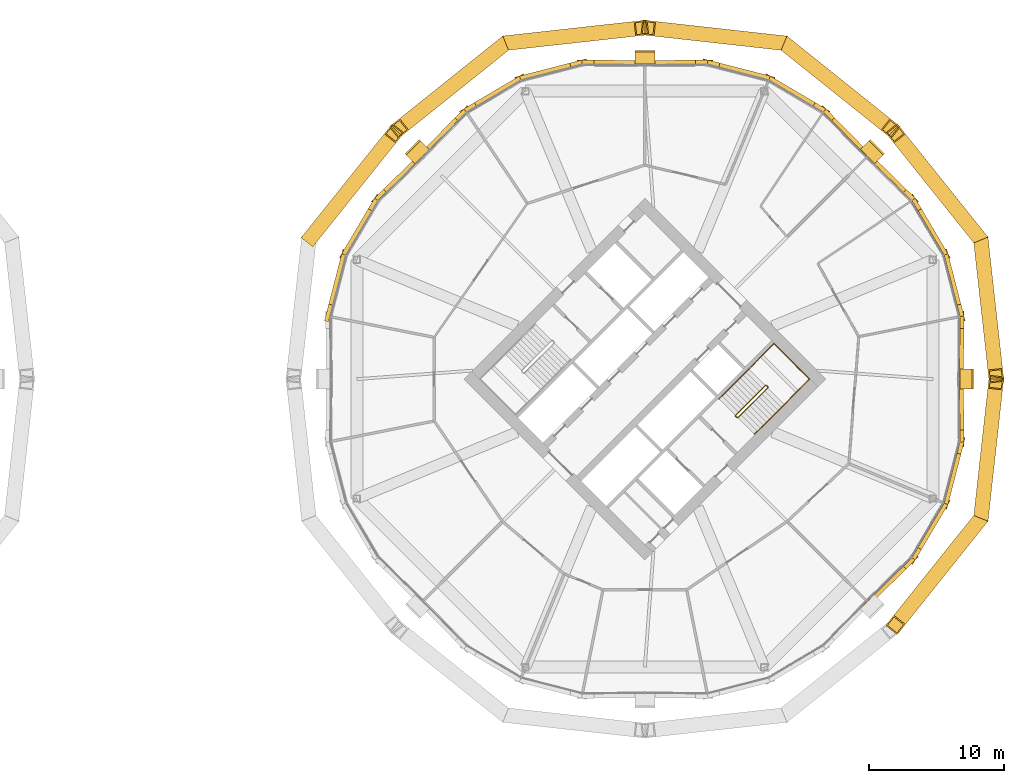
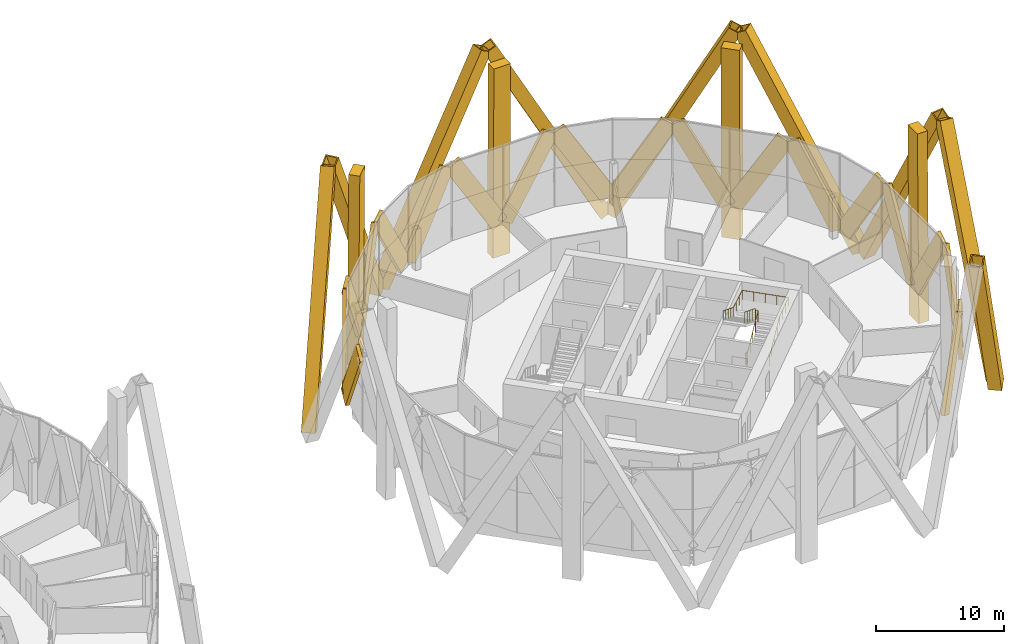
# One storey, part 29 of 30: 32 coverings, 2 railings.
"""IFC4 building model written with IfcOpenShell, lengths in metres."""

from ifc_helpers import new_model, si_unit, direction, frame, origin, origin_2d, place, context, subcontext, project, spatial, rectangle, hollow_rectangle, circle, extrude, material, material_profile, profile_set, type_object, element, save


model = new_model("IFC4")

# Units and contexts
model_context = context("Model", 3, precision=1e-05, world=origin(), true_north=direction((0.0, 1.0)))
body_context = subcontext(model_context, "Body", "Model", "MODEL_VIEW")
ifc_project = project(units=[si_unit("LENGTHUNIT", "METRE"), si_unit("AREAUNIT", "SQUARE_METRE"), si_unit("VOLUMEUNIT", "CUBIC_METRE"), si_unit("PLANEANGLEUNIT", "RADIAN"), si_unit("MASSUNIT", "GRAM", prefix="KILO")], contexts=[model_context])

# Site, building, storey
site_placement = place(None, origin())
site = spatial("IfcSite", under=ifc_project, at=site_placement, CompositionType="ELEMENT")
building_placement = place(site_placement, origin())
building = spatial("IfcBuilding", under=site, at=building_placement, Name="Ogive Gate Towers", CompositionType="ELEMENT")
storey_placement = place(building_placement, frame((0.0, 0.0, 99.60009765625)))
storey = spatial("IfcBuildingStorey", under=building, at=storey_placement, Name="L23", CompositionType="ELEMENT", Elevation=99.60009765625)

# Coverings
ifc_material_1 = material(Name="Pale metal aluminium", Category="aluminium")
ifc_material_profile_1 = material_profile(ifc_material_1, rectangle(XDim=1.5, YDim=0.89990234375, at=origin_2d()), Name="1500 x 900 pale metal aluminium")
ifc_profile_set_1 = profile_set([ifc_material_profile_1], Name="Pale metal aluminium")
covering_type_1 = type_object("IfcCoveringType", Name="Crease colonnette 1500 x 900", PredefinedType="CLADDING", material=ifc_profile_set_1)
for number, where, z_axis, x_axis, name in (
    (1, (59.97998046875, 0.0, -3.2001953125), (-0.007175622536, 0.0, 0.999974254889), (0.0, -1.0, 0.0), "Crease colonnette"),
    (2, (52.956298828125, 16.956298828125, -3.2001953125), (-0.005071492745, -0.005071492745, 0.999974279631), (0.707106781187, -0.707106781187, 0.0), "Crease colonnette"),
    (3, (36.0, 23.97998046875, -3.2001953125), (0.0, -0.007175622536, 0.999974254889), (1.0, 0.0, 0.0), "Crease colonnette"),
    (4, (19.043701171875, 16.956298828125, -3.2001953125), (0.005071492745, -0.005071492745, 0.999974279631), (0.707106781187, 0.707106781187, 0.0), "Crease colonnette"),
):
    element("IfcCovering", number, at=place(storey_placement, frame(where, z_axis=z_axis, x_axis=x_axis)), inside=storey, type_object=covering_type_1, Name=name, PredefinedType="CLADDING", context=body_context, shape_type="SweptSolid", body=[
        extrude(rectangle(XDim=1.5, YDim=0.89990234375, at=origin_2d()), origin(), (0.0, 0.0, 1.0), 18.1005859375),
    ])
ifc_material_2 = material(Name="Pale metal aluminium cladding", Category="aluminium")
ifc_material_profile_2 = material_profile(ifc_material_2, hollow_rectangle(XDim=1.10009765625, YDim=1.10009765625, WallThickness=0.10009765625, at=origin_2d()), Name="1100 x 1100 pale metal casing")
ifc_profile_set_2 = profile_set([ifc_material_profile_2], Name="Pale metal aluminium cladding")
covering_type_2 = type_object("IfcCoveringType", Name="Diagrid casing 1100 x 1100", PredefinedType="CLADDING", material=ifc_profile_set_2)
for number, where, z_axis, x_axis, name in (
    (5, (60.99169921875, 10.082763671875, -3.414794921875), (0.051893681789, -0.467845256186, 0.882285589849), (0.993904498149, 0.110244494465, 0.0), "Diagrid casing"),
    (6, (60.801513671875, 10.542236328125, -3.414794921875), (-0.294122355712, 0.367510539247, 0.882285692626), (-0.780750734849, -0.62484261221, 0.0), "Diagrid casing"),
    (7, (46.542236328125, 24.801513671875, -3.414794921875), (0.367510539247, -0.294122355712, 0.882285692626), (0.62484261221, 0.780750734849, 0.0), "Diagrid casing"),
    (8, (46.082763671875, 24.99169921875, -3.414794921875), (-0.467845256186, 0.051893681789, 0.882285589849), (-0.110244494465, -0.993904498149, 0.0), "Diagrid casing"),
    (9, (25.917236328125, 24.99169921875, -3.414794921875), (0.467845256186, 0.051893681789, 0.882285589849), (-0.110244494465, 0.993904498149, 0.0), "Diagrid casing"),
    (10, (25.457763671875, 24.801513671875, -3.414794921875), (-0.367510539247, -0.294122355712, 0.882285692626), (0.62484261221, -0.780750734849, 0.0), "Diagrid casing"),
    (11, (11.198486328125, 10.542236328125, -3.414794921875), (0.294122355712, 0.367510539247, 0.882285692626), (-0.780750734849, 0.62484261221, 0.0), "Diagrid casing"),
    (12, (60.801513671875, -10.542236328125, -3.414794921875), (-0.294122355712, -0.367510539247, 0.882285692626), (0.780750734849, -0.62484261221, 0.0), "Diagrid casing"),
    (13, (60.99169921875, -10.082763671875, -3.414794921875), (0.051893681789, 0.467845256186, 0.882285589849), (-0.993904498149, 0.110244494465, 0.0), "Diagrid casing"),
):
    element("IfcCovering", number, at=place(storey_placement, frame(where, z_axis=z_axis, x_axis=x_axis)), inside=storey, type_object=covering_type_2, Name=name, PredefinedType="CLADDING", context=body_context, shape_type="SweptSolid", body=[
        extrude(hollow_rectangle(XDim=1.10009765625, YDim=1.10009765625, WallThickness=0.10009765625, at=origin_2d()), origin(), (0.0, 0.0, 1.0), 21.00146484375),
    ])
ifc_material_profile_3 = material_profile(ifc_material_1, rectangle(XDim=0.300048828125, YDim=1.5, at=origin_2d()), Name="1500 x 300 pale metal aluminium")
ifc_profile_set_3 = profile_set([ifc_material_profile_3], Name="Pale metal aluminium")
covering_type_3 = type_object("IfcCoveringType", Name="Facade fin 1500 x 300", PredefinedType="CLADDING", material=ifc_profile_set_3)
covering_1_placement = place(storey_placement, frame((59.522216796875, 0.225830078125, 0.033203125), z_axis=(0.004892967513, 0.511076423809, 0.859521348133), x_axis=(-0.999954173877, 0.00957340832, 0.0)))
element("IfcCovering", 14, at=covering_1_placement, inside=storey, type_object=covering_type_3, Name="Facade fin", PredefinedType="CLADDING", context=body_context, shape_type="SweptSolid", body=[
    extrude(rectangle(XDim=0.300048828125, YDim=1.5, at=origin_2d()), origin(), (0.0, 0.0, 1.0), 8.182861328125),
])
for number, where, z_axis, x_axis, name in (
    (15, (58.44482421875, 9.01513671875, 0.036865234375), (0.128609963562, -0.499736470308, 0.856576288206), (0.968443227462, 0.249234257645, 0.0), "Facade fin"),
    (16, (58.24560546875, 9.49609375, 0.036865234375), (-0.262427507757, 0.444314147192, 0.856572671627), (-0.861029855402, -0.508554410174, 0.0), "Facade fin"),
):
    element("IfcCovering", number, at=place(storey_placement, frame(where, z_axis=z_axis, x_axis=x_axis)), inside=storey, type_object=covering_type_3, Name=name, PredefinedType="CLADDING", context=body_context, shape_type="SweptSolid", body=[
        extrude(rectangle(XDim=0.300048828125, YDim=1.5, at=origin_2d()), origin(), (0.0, 0.0, 1.0), 8.20263671875),
    ])
for number, where, z_axis, x_axis, name in (
    (17, (52.79248046875, 16.472900390625, 0.033203125), (0.364856107894, -0.357904478722, 0.859525685854), (0.700273322803, 0.713874830324, 0.0), "Facade fin"),
    (18, (52.472900390625, 16.79248046875, 0.033203125), (-0.357904478722, 0.364856107894, 0.859525685854), (-0.713874830324, -0.700273322803, 0.0), "Facade fin"),
):
    element("IfcCovering", number, at=place(storey_placement, frame(where, z_axis=z_axis, x_axis=x_axis)), inside=storey, type_object=covering_type_3, Name=name, PredefinedType="CLADDING", context=body_context, shape_type="SweptSolid", body=[
        extrude(rectangle(XDim=0.300048828125, YDim=1.5, at=origin_2d()), origin(), (0.0, 0.0, 1.0), 8.182861328125),
    ])
for number, where, z_axis, x_axis, name in (
    (19, (45.49609375, 22.24560546875, 0.036865234375), (0.444314147192, -0.262427507757, 0.856572671627), (0.508554410174, 0.861029855402, 0.0), "Facade fin"),
    (20, (45.01513671875, 22.44482421875, 0.036865234375), (-0.499736470308, 0.128609963562, 0.856576288206), (-0.249234257645, -0.968443227462, 0.0), "Facade fin"),
):
    element("IfcCovering", number, at=place(storey_placement, frame(where, z_axis=z_axis, x_axis=x_axis)), inside=storey, type_object=covering_type_3, Name=name, PredefinedType="CLADDING", context=body_context, shape_type="SweptSolid", body=[
        extrude(rectangle(XDim=0.300048828125, YDim=1.5, at=origin_2d()), origin(), (0.0, 0.0, 1.0), 8.20263671875),
    ])
for number, where, z_axis, x_axis, name in (
    (21, (36.225830078125, 23.522216796875, 0.033203125), (0.511076423809, 0.004892967513, 0.859521348133), (-0.00957340832, 0.999954173877, 0.0), "Facade fin"),
    (22, (35.774169921875, 23.522216796875, 0.033203125), (-0.511076423809, 0.004892967513, 0.859521348133), (-0.00957340832, -0.999954173877, 0.0), "Facade fin"),
):
    element("IfcCovering", number, at=place(storey_placement, frame(where, z_axis=z_axis, x_axis=x_axis)), inside=storey, type_object=covering_type_3, Name=name, PredefinedType="CLADDING", context=body_context, shape_type="SweptSolid", body=[
        extrude(rectangle(XDim=0.300048828125, YDim=1.5, at=origin_2d()), origin(), (0.0, 0.0, 1.0), 8.182861328125),
    ])
for number, where, z_axis, x_axis, name in (
    (23, (26.98486328125, 22.44482421875, 0.036865234375), (0.499736470308, 0.128609963562, 0.856576288206), (-0.249234257645, 0.968443227462, 0.0), "Facade fin"),
    (24, (26.50390625, 22.24560546875, 0.036865234375), (-0.444314147192, -0.262427507757, 0.856572671627), (0.508554410174, -0.861029855402, 0.0), "Facade fin"),
):
    element("IfcCovering", number, at=place(storey_placement, frame(where, z_axis=z_axis, x_axis=x_axis)), inside=storey, type_object=covering_type_3, Name=name, PredefinedType="CLADDING", context=body_context, shape_type="SweptSolid", body=[
        extrude(rectangle(XDim=0.300048828125, YDim=1.5, at=origin_2d()), origin(), (0.0, 0.0, 1.0), 8.20263671875),
    ])
for number, where, z_axis, x_axis, name in (
    (25, (19.527099609375, 16.79248046875, 0.033203125), (0.357904478722, 0.364856107894, 0.859525685854), (-0.713874830324, 0.700273322803, 0.0), "Facade fin"),
    (26, (19.20751953125, 16.472900390625, 0.033203125), (-0.364856107894, -0.357904478722, 0.859525685854), (0.700273322803, -0.713874830324, 0.0), "Facade fin"),
):
    element("IfcCovering", number, at=place(storey_placement, frame(where, z_axis=z_axis, x_axis=x_axis)), inside=storey, type_object=covering_type_3, Name=name, PredefinedType="CLADDING", context=body_context, shape_type="SweptSolid", body=[
        extrude(rectangle(XDim=0.300048828125, YDim=1.5, at=origin_2d()), origin(), (0.0, 0.0, 1.0), 8.182861328125),
    ])
for number, where, z_axis, x_axis, name in (
    (27, (13.75439453125, 9.49609375, 0.036865234375), (0.262427507757, 0.444314147192, 0.856572671627), (-0.861029855402, 0.508554410174, 0.0), "Facade fin"),
    (28, (13.55517578125, 9.01513671875, 0.036865234375), (-0.128609963562, -0.499736470308, 0.856576288206), (0.968443227462, -0.249234257645, 0.0), "Facade fin"),
):
    element("IfcCovering", number, at=place(storey_placement, frame(where, z_axis=z_axis, x_axis=x_axis)), inside=storey, type_object=covering_type_3, Name=name, PredefinedType="CLADDING", context=body_context, shape_type="SweptSolid", body=[
        extrude(rectangle(XDim=0.300048828125, YDim=1.5, at=origin_2d()), origin(), (0.0, 0.0, 1.0), 8.20263671875),
    ])
covering_2_placement = place(storey_placement, frame((52.79248046875, -16.472900390625, 0.033203125), z_axis=(0.364856107894, 0.357904478722, 0.859525685854), x_axis=(-0.700273322803, 0.713874830324, 0.0)))
element("IfcCovering", 29, at=covering_2_placement, inside=storey, type_object=covering_type_3, Name="Facade fin", PredefinedType="CLADDING", context=body_context, shape_type="SweptSolid", body=[
    extrude(rectangle(XDim=0.300048828125, YDim=1.5, at=origin_2d()), origin(), (0.0, 0.0, 1.0), 8.182861328125),
])
for number, where, z_axis, x_axis, name in (
    (30, (58.24560546875, -9.49609375, 0.036865234375), (-0.262427507757, -0.444314147192, 0.856572671627), (0.861029855402, -0.508554410174, 0.0), "Facade fin"),
    (31, (58.44482421875, -9.01513671875, 0.036865234375), (0.128609963562, 0.499736470308, 0.856576288206), (-0.968443227462, 0.249234257645, 0.0), "Facade fin"),
):
    element("IfcCovering", number, at=place(storey_placement, frame(where, z_axis=z_axis, x_axis=x_axis)), inside=storey, type_object=covering_type_3, Name=name, PredefinedType="CLADDING", context=body_context, shape_type="SweptSolid", body=[
        extrude(rectangle(XDim=0.300048828125, YDim=1.5, at=origin_2d()), origin(), (0.0, 0.0, 1.0), 8.20263671875),
    ])
covering_3_placement = place(storey_placement, frame((59.522216796875, -0.225830078125, 0.033203125), z_axis=(0.004892967513, -0.511076423809, 0.859521348133), x_axis=(0.999954173877, 0.00957340832, 0.0)))
element("IfcCovering", 32, at=covering_3_placement, inside=storey, type_object=covering_type_3, Name="Facade fin", PredefinedType="CLADDING", context=body_context, shape_type="SweptSolid", body=[
    extrude(rectangle(XDim=0.300048828125, YDim=1.5, at=origin_2d()), origin(), (0.0, 0.0, 1.0), 8.182861328125),
])

# Railings
ifc_material_3 = material(Name="Stainless steel", Category="steel")
railing_type_1 = type_object("IfcRailingType", Name="Stair guard 1100", PredefinedType="GUARDRAIL", material=ifc_material_3)
railing_1_placement = place(storey_placement, frame((42.84130859375, -2.8603515625, 0.0)))
element("IfcRailing", 33, at=railing_1_placement, inside=storey, type_object=railing_type_1, Name="L23 ST2 stair guard 1", PredefinedType="GUARDRAIL", context=body_context, shape_type="SweptSolid", body=[
    extrude(circle(Radius=0.02392578125, at=origin_2d()), frame((0.0, 0.0, 1.076171875), z_axis=(-0.707106781187, 0.707106781187, 0.0), x_axis=(-0.707106781187, -0.707106781187, 0.0)), (0.0, 0.0, 1.0), 0.14501953125),
    extrude(circle(Radius=0.02392578125, at=origin_2d()), frame((-0.1025390625, 0.1025390625, 1.076171875), z_axis=(0.645571447971, -0.382425963537, 0.661050594114), x_axis=(0.509669330572, 0.860370369942, 0.0)), (0.0, 0.0, 1.0), 0.26806640625),
    extrude(circle(Radius=0.02392578125, at=origin_2d()), frame((0.070556640625, 0.0, 1.25341796875), z_axis=(0.61558473135, 0.61558473135, 0.49204763698), x_axis=(-0.707106781187, 0.707106781187, 0.0)), (0.0, 0.0, 1.0), 3.602783203125),
    extrude(circle(Radius=0.02392578125, at=origin_2d()), frame((2.288330078125, 2.2177734375, 3.02587890625), z_axis=(0.0, 1.0, 0.0), x_axis=(-1.0, 0.0, 0.0)), (0.0, 0.0, 1.0), 0.07080078125),
    extrude(circle(Radius=0.02392578125, at=origin_2d()), frame((2.288330078125, 2.28857421875, 3.02587890625), z_axis=(-0.707106781187, 0.707106781187, 0.0), x_axis=(-0.707106781187, -0.707106781187, 0.0)), (0.0, 0.0, 1.0), 0.14501953125),
    extrude(circle(Radius=0.02392578125, at=origin_2d()), frame((2.185791015625, 2.39111328125, 3.02587890625), z_axis=(-0.369845645421, 0.0, 0.929093213065), x_axis=(0.0, -1.0, 0.0)), (0.0, 0.0, 1.0), 0.190673828125),
    extrude(circle(Radius=0.02392578125, at=origin_2d()), frame((2.115234375, 2.39111328125, 3.203125), z_axis=(-0.61558473135, -0.61558473135, 0.49204763698), x_axis=(0.707106781187, -0.707106781187, 0.0)), (0.0, 0.0, 1.0), 3.602783203125),
    extrude(circle(Radius=0.02099609375, at=origin_2d()), origin(), (0.0, 0.0, 1.0), 1.052001953125),
    extrude(circle(Radius=0.02099609375, at=origin_2d()), frame((-0.1025390625, 0.1025390625, 0.0)), (0.0, 0.0, 1.0), 1.052001953125),
    extrude(circle(Radius=0.02099609375, at=origin_2d()), frame((0.070556640625, 0.0, 0.17724609375)), (0.0, 0.0, 1.0), 1.052001953125),
    extrude(circle(Radius=0.02099609375, at=origin_2d()), frame((0.625, 0.554443359375, 0.620361328125)), (0.0, 0.0, 1.0), 1.052001953125),
    extrude(circle(Radius=0.02099609375, at=origin_2d()), frame((1.179443359375, 1.10888671875, 1.0634765625)), (0.0, 0.0, 1.0), 1.052001953125),
    extrude(circle(Radius=0.02099609375, at=origin_2d()), frame((1.73388671875, 1.663330078125, 1.5068359375)), (0.0, 0.0, 1.0), 1.052001953125),
    extrude(circle(Radius=0.02099609375, at=origin_2d()), frame((2.288330078125, 2.2177734375, 1.949951171875)), (0.0, 0.0, 1.0), 1.052001953125),
    extrude(circle(Radius=0.02099609375, at=origin_2d()), frame((2.288330078125, 2.28857421875, 1.949951171875)), (0.0, 0.0, 1.0), 1.052001953125),
    extrude(circle(Radius=0.02099609375, at=origin_2d()), frame((2.185791015625, 2.39111328125, 1.949951171875)), (0.0, 0.0, 1.0), 1.052001953125),
    extrude(circle(Radius=0.02099609375, at=origin_2d()), frame((2.115234375, 2.39111328125, 2.127197265625)), (0.0, 0.0, 1.0), 1.052001953125),
    extrude(circle(Radius=0.02099609375, at=origin_2d()), frame((1.560791015625, 1.836669921875, 2.5703125)), (0.0, 0.0, 1.0), 1.052001953125),
    extrude(circle(Radius=0.02099609375, at=origin_2d()), frame((1.00634765625, 1.2822265625, 3.013671875)), (0.0, 0.0, 1.0), 1.052001953125),
    extrude(circle(Radius=0.02099609375, at=origin_2d()), frame((0.451904296875, 0.727783203125, 3.456787109375)), (0.0, 0.0, 1.0), 1.052001953125),
    extrude(circle(Radius=0.02099609375, at=origin_2d()), frame((-0.1025390625, 0.17333984375, 3.89990234375)), (0.0, 0.0, 1.0), 1.052001953125),
])
railing_type_2 = type_object("IfcRailingType", Name="Stair handrail 900", PredefinedType="HANDRAIL", material=ifc_material_3)
railing_2_placement = place(storey_placement, frame((44.142333984375, -4.090576171875, 0.17724609375)))
element("IfcRailing", 34, at=railing_2_placement, inside=storey, type_object=railing_type_2, Name="L23 ST2 stair handrail 1", PredefinedType="HANDRAIL", context=body_context, shape_type="SweptSolid", body=[
    extrude(circle(Radius=0.02392578125, at=origin_2d()), frame((0.0, 0.0, 0.8759765625), z_axis=(0.61558473135, 0.61558473135, 0.49204763698), x_axis=(-0.707106781187, 0.707106781187, 0.0)), (0.0, 0.0, 1.0), 3.602783203125),
    extrude(circle(Radius=0.02392578125, at=origin_2d()), frame((2.2177734375, 2.2177734375, 2.6484375), z_axis=(0.707106781187, 0.707106781187, 0.0), x_axis=(-0.707106781187, 0.707106781187, 0.0)), (0.0, 0.0, 1.0), 2.6484375),
    extrude(circle(Radius=0.02392578125, at=origin_2d()), frame((4.090576171875, 4.090576171875, 2.6484375), z_axis=(-0.707106781187, 0.707106781187, 0.0), x_axis=(-0.707106781187, -0.707106781187, 0.0)), (0.0, 0.0, 1.0), 3.72509765625),
    extrude(circle(Radius=0.02392578125, at=origin_2d()), frame((1.45654296875, 6.724609375, 2.6484375), z_axis=(-0.705482886452, -0.705574853978, 0.066768423356), x_axis=(0.70715286629, -0.70706069308, 0.0)), (0.0, 0.0, 1.0), 2.654541015625),
    extrude(circle(Radius=0.02392578125, at=origin_2d()), frame((-0.416259765625, 4.8515625, 2.82568359375), z_axis=(-0.615610411033, -0.615542642384, 0.4920681632), x_axis=(0.70706785752, -0.70714570271, 0.0)), (0.0, 0.0, 1.0), 3.6025390625),
    extrude(circle(Radius=0.02099609375, at=origin_2d()), origin(), (0.0, 0.0, 1.0), 0.851806640625),
    extrude(circle(Radius=0.02099609375, at=origin_2d()), frame((0.554443359375, 0.554443359375, 0.443115234375)), (0.0, 0.0, 1.0), 0.851806640625),
    extrude(circle(Radius=0.02099609375, at=origin_2d()), frame((1.10888671875, 1.10888671875, 0.88623046875)), (0.0, 0.0, 1.0), 0.851806640625),
    extrude(circle(Radius=0.02099609375, at=origin_2d()), frame((1.663330078125, 1.663330078125, 1.32958984375)), (0.0, 0.0, 1.0), 0.851806640625),
    extrude(circle(Radius=0.02099609375, at=origin_2d()), frame((2.2177734375, 2.2177734375, 1.772705078125)), (0.0, 0.0, 1.0), 0.851806640625),
    extrude(circle(Radius=0.02099609375, at=origin_2d()), frame((2.842041015625, 2.842041015625, 1.772705078125)), (0.0, 0.0, 1.0), 0.851806640625),
    extrude(circle(Radius=0.02099609375, at=origin_2d()), frame((3.46630859375, 3.46630859375, 1.772705078125)), (0.0, 0.0, 1.0), 0.851806640625),
    extrude(circle(Radius=0.02099609375, at=origin_2d()), frame((4.090576171875, 4.090576171875, 1.772705078125)), (0.0, 0.0, 1.0), 0.851806640625),
    extrude(circle(Radius=0.02099609375, at=origin_2d()), frame((3.43212890625, 4.7490234375, 1.772705078125)), (0.0, 0.0, 1.0), 0.851806640625),
    extrude(circle(Radius=0.02099609375, at=origin_2d()), frame((2.7734375, 5.40771484375, 1.772705078125)), (0.0, 0.0, 1.0), 0.851806640625),
    extrude(circle(Radius=0.02099609375, at=origin_2d()), frame((2.114990234375, 6.066162109375, 1.772705078125)), (0.0, 0.0, 1.0), 0.851806640625),
    extrude(circle(Radius=0.02099609375, at=origin_2d()), frame((1.45654296875, 6.724609375, 1.772705078125)), (0.0, 0.0, 1.0), 0.851806640625),
    extrude(circle(Radius=0.02099609375, at=origin_2d()), frame((0.832275390625, 6.100341796875, 1.831787109375)), (0.0, 0.0, 1.0), 0.851806640625),
    extrude(circle(Radius=0.02099609375, at=origin_2d()), frame((0.2080078125, 5.475830078125, 1.890869140625)), (0.0, 0.0, 1.0), 0.851806640625),
    extrude(circle(Radius=0.02099609375, at=origin_2d()), frame((-0.416259765625, 4.8515625, 1.949951171875)), (0.0, 0.0, 1.0), 0.851806640625),
    extrude(circle(Radius=0.02099609375, at=origin_2d()), frame((-0.970703125, 4.297119140625, 2.39306640625)), (0.0, 0.0, 1.0), 0.851806640625),
    extrude(circle(Radius=0.02099609375, at=origin_2d()), frame((-1.525146484375, 3.74267578125, 2.83642578125)), (0.0, 0.0, 1.0), 0.851806640625),
    extrude(circle(Radius=0.02099609375, at=origin_2d()), frame((-2.07958984375, 3.1884765625, 3.279541015625)), (0.0, 0.0, 1.0), 0.851806640625),
    extrude(circle(Radius=0.02099609375, at=origin_2d()), frame((-2.634033203125, 2.634033203125, 3.72265625)), (0.0, 0.0, 1.0), 0.851806640625),
])

save(model, "model.ifc")
